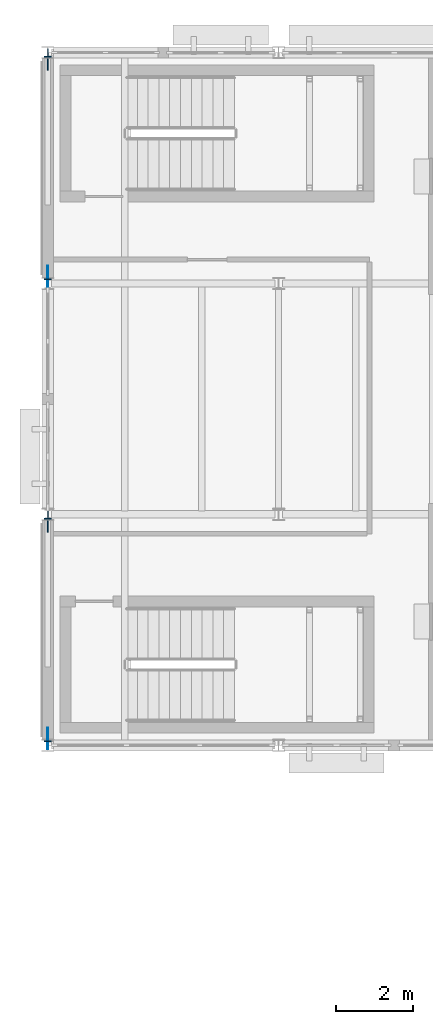
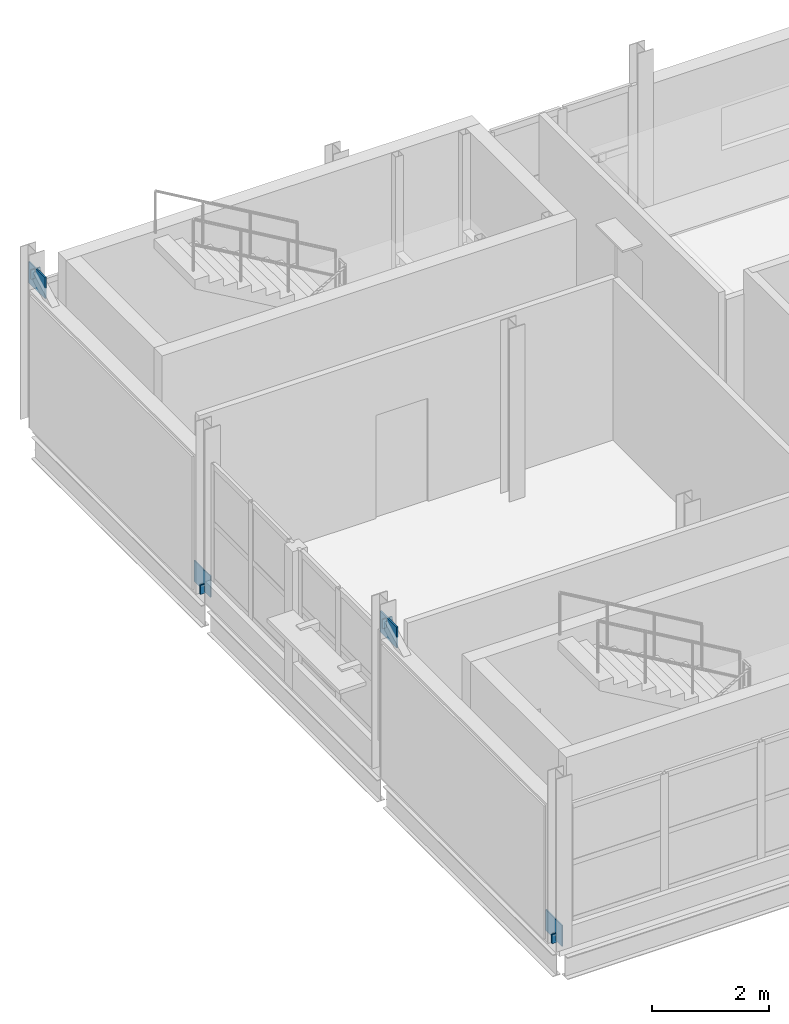
# One storey, part 13 of 20: 8 plates.
"""IFC4 building model written with IfcOpenShell, lengths in metres."""

from ifc_helpers import new_model, si_unit, direction, frame, origin, origin_2d, place, context, subcontext, project, spatial, rectangle, extrude, material, layer, layer_set, type_object, element, save


model = new_model("IFC4")

# Units and contexts
model_context = context("Model", 3, precision=1e-05, world=origin(), true_north=direction((0.0, 1.0)))
body_context = subcontext(model_context, "Body", "Model", "MODEL_VIEW")
ifc_project = project(units=[si_unit("LENGTHUNIT", "METRE"), si_unit("AREAUNIT", "SQUARE_METRE"), si_unit("VOLUMEUNIT", "CUBIC_METRE"), si_unit("PLANEANGLEUNIT", "RADIAN"), si_unit("MASSUNIT", "GRAM", prefix="KILO")], contexts=[model_context])

# Site, building, storey
site_placement = place(None, origin())
site = spatial("IfcSite", under=ifc_project, at=site_placement, CompositionType="ELEMENT")
building_placement = place(site_placement, origin())
building = spatial("IfcBuilding", under=site, at=building_placement, Name="Siltcreek Boulevard Central Fire Station", CompositionType="ELEMENT")
storey_placement = place(building_placement, frame((0.0, 0.0, 18.0)))
storey = spatial("IfcBuildingStorey", under=building, at=storey_placement, Name="L05", CompositionType="ELEMENT", Elevation=18.0)

# Plates
ifc_material = material(Name="Structural steel ASTM A572 Gr50", Category="steel")
ifc_layer_1 = layer(ifc_material, 0.02490234375, Name="Structural steel ASTM A572 Gr50")
ifc_layer_set_1 = layer_set([ifc_layer_1], Name="Structural steel ASTM A572 Gr50")
plate_type_1 = type_object("IfcPlateType", Name="PL_CAP25", PredefinedType="USERDEFINED", material=ifc_layer_set_1)
for number, where, z_axis, x_axis, name in (
    (1, (42.0, 94.310791015625, 0.000244140625), (0.0, 0.0, 1.0), (0.0, 1.0, 0.0), "L05 SCBF concentrically braced frame BR-017 sealed end cap 1"),
    (2, (42.0, 100.08935546875, 3.059814453125), (0.0, 0.0, 1.0), (0.0, 1.0, 0.0), "L05 SCBF concentrically braced frame BR-017 sealed end cap 2"),
    (3, (42.0, 106.310791015625, 0.000244140625), (0.0, 0.0, 1.0), (0.0, 1.0, 0.0), "L05 SCBF concentrically braced frame BR-023 sealed end cap 1"),
    (4, (42.0, 112.08935546875, 3.059814453125), (0.0, 0.0, 1.0), (0.0, 1.0, 0.0), "L05 SCBF concentrically braced frame BR-023 sealed end cap 2"),
):
    element("IfcPlate", number, at=place(storey_placement, frame(where, z_axis=z_axis, x_axis=x_axis)), inside=storey, type_object=plate_type_1, Name=name, ObjectType="END CAP", PredefinedType="USERDEFINED", context=body_context, shape_type="SweptSolid", body=[
        extrude(rectangle(XDim=0.02490234375, YDim=0.18994140625, at=origin_2d()), origin(), (0.0, 0.0, 1.0), 0.18994140625),
    ])
ifc_layer_2 = layer(ifc_material, 0.02197265625, Name="Structural steel ASTM A572 Gr50")
ifc_layer_set_2 = layer_set([ifc_layer_2], Name="Structural steel ASTM A572 Gr50")
plate_type_2 = type_object("IfcPlateType", Name="PL_GUS22", PredefinedType="USERDEFINED", material=ifc_layer_set_2)
for number, where, z_axis, x_axis, name in (
    (5, (42.0, 94.3798828125, 0.030029296875), (0.0, 0.0, 1.0), (0.0, 1.0, 0.0), "Seismic brace bot gusset plate GP-067"),
    (6, (42.0, 106.3798828125, 0.030029296875), (0.0, 0.0, 1.0), (0.0, 1.0, 0.0), "Seismic brace bot gusset plate GP-079"),
):
    element("IfcPlate", number, at=place(storey_placement, frame(where, z_axis=z_axis, x_axis=x_axis)), inside=storey, type_object=plate_type_2, Name=name, ObjectType="GUSSET PLATE", PredefinedType="USERDEFINED", context=body_context, shape_type="SweptSolid", body=[
        extrude(rectangle(XDim=0.56005859375, YDim=0.02197265625, at=origin_2d()), origin(), (0.0, 0.0, 1.0), 0.43994140625),
    ])
ifc_layer_3 = layer(ifc_material, 0.028076171875, Name="Structural steel ASTM A572 Gr50")
ifc_layer_set_3 = layer_set([ifc_layer_3], Name="Structural steel ASTM A572 Gr50")
plate_type_3 = type_object("IfcPlateType", Name="PL_GUS28", PredefinedType="USERDEFINED", material=ifc_layer_set_3)
for number, where, z_axis, x_axis, name in (
    (7, (42.0, 100.02001953125, 2.830078125), (0.0, 0.0, 1.0), (0.0, 1.0, 0.0), "Seismic brace top gusset plate GP-068"),
    (8, (42.0, 112.02001953125, 2.830078125), (0.0, 0.0, 1.0), (0.0, 1.0, 0.0), "Seismic brace top gusset plate GP-080"),
):
    element("IfcPlate", number, at=place(storey_placement, frame(where, z_axis=z_axis, x_axis=x_axis)), inside=storey, type_object=plate_type_3, Name=name, ObjectType="GUSSET PLATE", PredefinedType="USERDEFINED", context=body_context, shape_type="SweptSolid", body=[
        extrude(rectangle(XDim=0.56005859375, YDim=0.028076171875, at=origin_2d()), origin(), (0.0, 0.0, 1.0), 0.43994140625),
    ])

save(model, "model.ifc")
